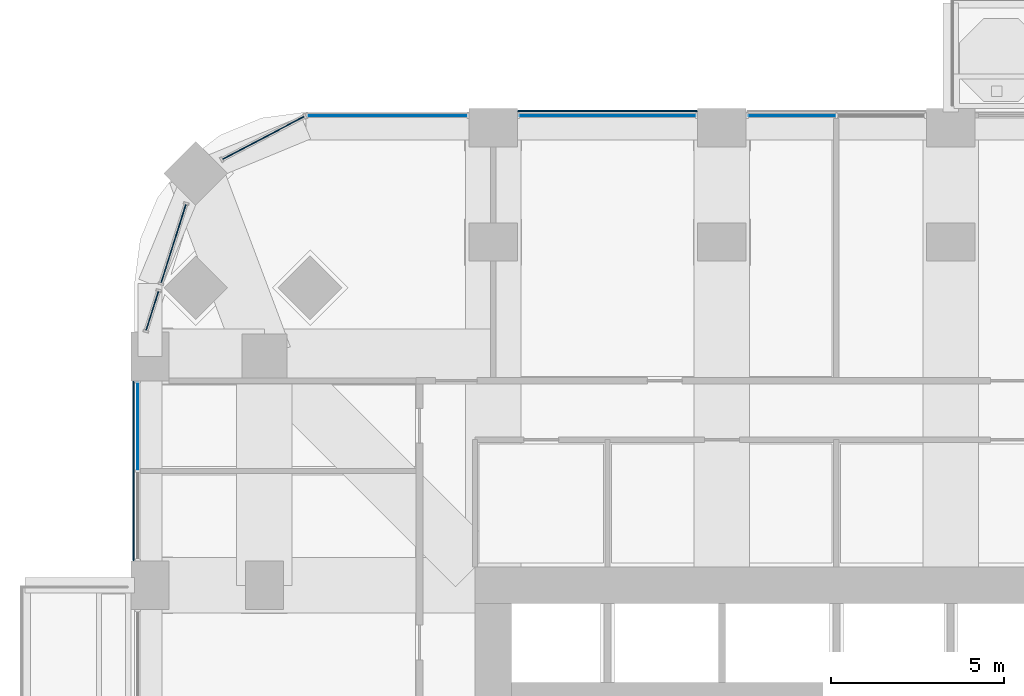
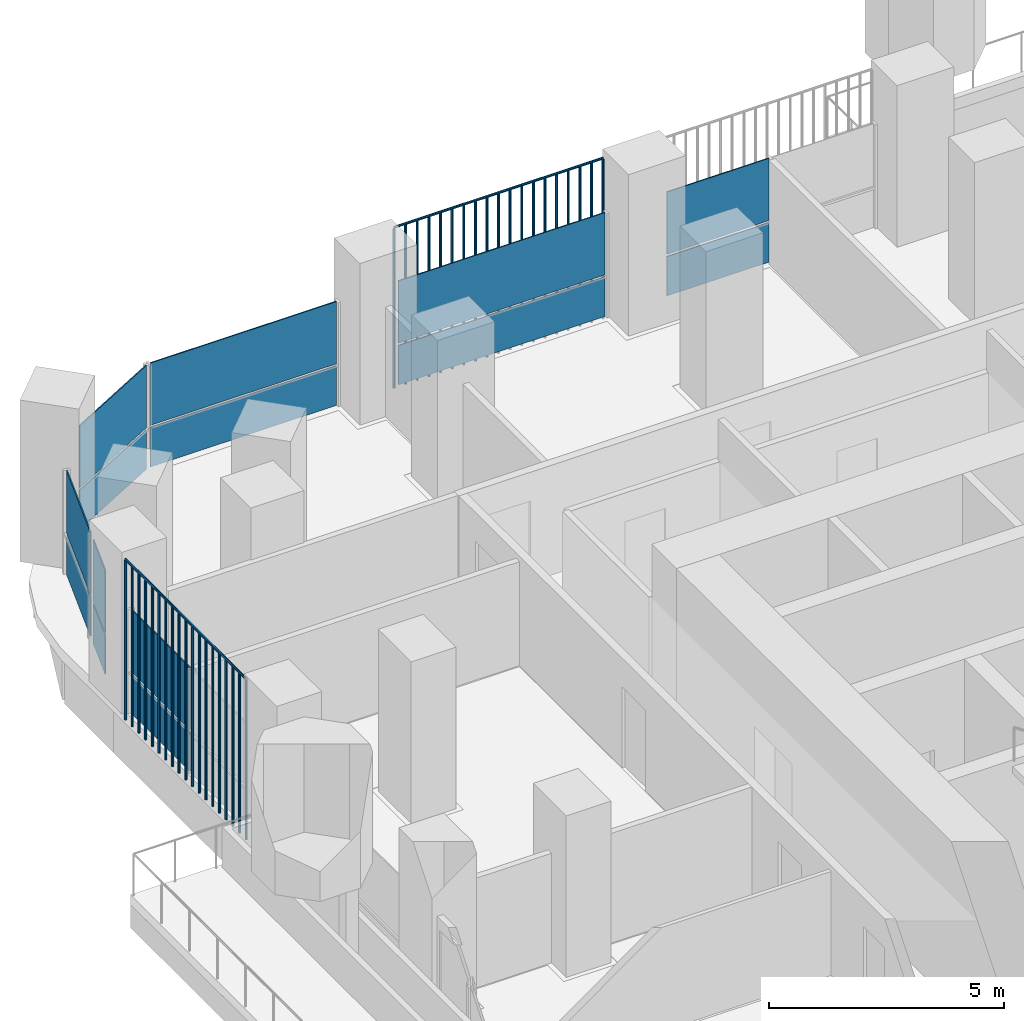
# One storey, part 12 of 23: 16 plates, 7 elements without a shape of their own.
"""IFC4 building model written with IfcOpenShell, lengths in metres."""

from ifc_helpers import new_model, si_unit, direction, frame, origin, origin_2d, place, context, subcontext, project, spatial, polyline, rectangle, outline, extrude, material, layer, layer_set, type_object, element, aggregate, save


model = new_model("IFC4")

# Units and contexts
model_context = context("Model", 3, precision=1e-05, world=origin(), true_north=direction((0.0, 1.0)))
body_context = subcontext(model_context, "Body", "Model", "MODEL_VIEW")
ifc_project = project(units=[si_unit("LENGTHUNIT", "METRE"), si_unit("AREAUNIT", "SQUARE_METRE"), si_unit("VOLUMEUNIT", "CUBIC_METRE"), si_unit("PLANEANGLEUNIT", "RADIAN"), si_unit("MASSUNIT", "GRAM", prefix="KILO")], contexts=[model_context])

# Site, building, storey
site_placement = place(None, origin())
site = spatial("IfcSite", under=ifc_project, at=site_placement, CompositionType="ELEMENT")
building_placement = place(site_placement, origin())
building = spatial("IfcBuilding", under=site, at=building_placement, Name="Cobogo Forest Laboratory Tower", CompositionType="ELEMENT")
storey_placement = place(building_placement, frame((0.0, 0.0, 128.39990234375)))
storey = spatial("IfcBuildingStorey", under=building, at=storey_placement, Name="L29", CompositionType="ELEMENT", Elevation=128.39990234375)

# Curtain wall, plates
ifc_material_1 = material(Name="Aluminium curtain wall", Category="aluminium")
curtain_wall_type = type_object("IfcCurtainWallType", Name="CW-1 unitised curtain wall, clear glazing, laboratory floors zones A and B", PredefinedType="USERDEFINED", material=ifc_material_1)
curtain_wall_1_placement = place(storey_placement, origin())
curtain_wall_1 = element("IfcCurtainWall", 1, at=curtain_wall_1_placement, inside=storey, type_object=curtain_wall_type, Name="Curtain wall 21 L29", ObjectType="UNITISED CURTAIN WALL", PredefinedType="USERDEFINED")
ifc_material_2 = material(Name="Clear insulated glass", Category="glass")
ifc_layer = layer(ifc_material_2, 0.028076171875)
ifc_layer_set = layer_set([ifc_layer], Name="GP-1 clear insulated glass unit 28")
plate_type_1 = type_object("IfcPlateType", Name="GP-1 clear insulated glass unit 28", PredefinedType="CURTAIN_PANEL", material=ifc_layer_set)
plate_1_placement = place(storey_placement, frame((21.81494140625, 46.550048828125, 0.0), z_axis=(0.0, 0.0, 1.0), x_axis=(-1.0, 0.0, 0.0)))
plate_1 = element("IfcPlate", 2, at=plate_1_placement, type_object=plate_type_1, Name="CW-1 panel 2.1", PredefinedType="CURTAIN_PANEL", context=body_context, shape_type="SweptSolid", body=[
    extrude(rectangle(XDim=2.510009765625, YDim=0.028076171875, at=origin_2d()), origin(), (0.0, 0.0, 1.0), 1.02001953125),
])
plate_2_placement = place(storey_placement, frame((21.81494140625, 46.550048828125, 1.080078125), z_axis=(0.0, 0.0, 1.0), x_axis=(-1.0, 0.0, 0.0)))
plate_2 = element("IfcPlate", 3, at=plate_2_placement, type_object=plate_type_1, Name="CW-1 panel 2.2", PredefinedType="CURTAIN_PANEL", context=body_context, shape_type="SweptSolid", body=[
    extrude(rectangle(XDim=2.510009765625, YDim=0.028076171875, at=origin_2d()), origin(), (0.0, 0.0, 1.0), 1.6201171875),
])
aggregate(curtain_wall_1, [plate_1, plate_2])

curtain_wall_2_placement = place(storey_placement, origin())
curtain_wall_2 = element("IfcCurtainWall", 4, at=curtain_wall_2_placement, inside=storey, type_object=curtain_wall_type, Name="Curtain wall 22 L29", ObjectType="UNITISED CURTAIN WALL", PredefinedType="USERDEFINED")
plate_3_placement = place(storey_placement, frame((16.5, 46.550048828125, 0.0), z_axis=(0.0, 0.0, 1.0), x_axis=(-1.0, 0.0, 0.0)))
plate_3 = element("IfcPlate", 5, at=plate_3_placement, type_object=plate_type_1, Name="CW-1 panel 1.1", PredefinedType="CURTAIN_PANEL", context=body_context, shape_type="SweptSolid", body=[
    extrude(rectangle(XDim=5.080078125, YDim=0.028076171875, at=origin_2d()), origin(), (0.0, 0.0, 1.0), 1.02001953125),
])
plate_4_placement = place(storey_placement, frame((16.5, 46.550048828125, 1.080078125), z_axis=(0.0, 0.0, 1.0), x_axis=(-1.0, 0.0, 0.0)))
plate_4 = element("IfcPlate", 6, at=plate_4_placement, type_object=plate_type_1, Name="CW-1 panel 1.2", PredefinedType="CURTAIN_PANEL", context=body_context, shape_type="SweptSolid", body=[
    extrude(rectangle(XDim=5.080078125, YDim=0.028076171875, at=origin_2d()), origin(), (0.0, 0.0, 1.0), 1.6201171875),
])
aggregate(curtain_wall_2, [plate_3, plate_4])

curtain_wall_3_placement = place(storey_placement, origin())
curtain_wall_3 = element("IfcCurtainWall", 7, at=curtain_wall_3_placement, inside=storey, type_object=curtain_wall_type, Name="Curtain wall 23 L29", ObjectType="UNITISED CURTAIN WALL", PredefinedType="USERDEFINED")
plate_5_placement = place(storey_placement, frame((10.14990234375, 46.550048828125, 0.0), z_axis=(0.0, 0.0, 1.0), x_axis=(-1.0, 0.0, 0.0)))
plate_5 = element("IfcPlate", 8, at=plate_5_placement, type_object=plate_type_1, Name="CW-1 panel 1.1", PredefinedType="CURTAIN_PANEL", context=body_context, shape_type="SweptSolid", body=[
    extrude(rectangle(XDim=4.580078125, YDim=0.028076171875, at=origin_2d()), origin(), (0.0, 0.0, 1.0), 1.02001953125),
])
plate_6_placement = place(storey_placement, frame((10.14990234375, 46.550048828125, 1.080078125), z_axis=(0.0, 0.0, 1.0), x_axis=(-1.0, 0.0, 0.0)))
plate_6 = element("IfcPlate", 9, at=plate_6_placement, type_object=plate_type_1, Name="CW-1 panel 1.2", PredefinedType="CURTAIN_PANEL", context=body_context, shape_type="SweptSolid", body=[
    extrude(rectangle(XDim=4.580078125, YDim=0.028076171875, at=origin_2d()), origin(), (0.0, 0.0, 1.0), 1.6201171875),
])
aggregate(curtain_wall_3, [plate_5, plate_6])

curtain_wall_4_placement = place(storey_placement, origin())
curtain_wall_4 = element("IfcCurtainWall", 10, at=curtain_wall_4_placement, inside=storey, type_object=curtain_wall_type, Name="Curtain wall 24 L29", ObjectType="UNITISED CURTAIN WALL", PredefinedType="USERDEFINED")
plate_7_placement = place(storey_placement, frame((6.57080078125, 45.90576171875, 0.0), z_axis=(0.0, 0.0, 1.0), x_axis=(-0.885686547075, -0.464283685186, 0.0)))
plate_7 = element("IfcPlate", 11, at=plate_7_placement, type_object=plate_type_1, Name="CW-1 panel 1.1", PredefinedType="CURTAIN_PANEL", context=body_context, shape_type="SweptSolid", body=[
    extrude(rectangle(XDim=2.655517578125, YDim=0.028076171875, at=origin_2d()), origin(), (0.0, 0.0, 1.0), 1.02001953125),
])
plate_8_placement = place(storey_placement, frame((6.57080078125, 45.90576171875, 1.080078125), z_axis=(0.0, 0.0, 1.0), x_axis=(-0.885686547075, -0.464283685186, 0.0)))
plate_8 = element("IfcPlate", 12, at=plate_8_placement, type_object=plate_type_1, Name="CW-1 panel 1.2", PredefinedType="CURTAIN_PANEL", context=body_context, shape_type="SweptSolid", body=[
    extrude(rectangle(XDim=2.655517578125, YDim=0.028076171875, at=origin_2d()), origin(), (0.0, 0.0, 1.0), 1.6201171875),
])
aggregate(curtain_wall_4, [plate_7, plate_8])

curtain_wall_5_placement = place(storey_placement, origin())
curtain_wall_5 = element("IfcCurtainWall", 13, at=curtain_wall_5_placement, inside=storey, type_object=curtain_wall_type, Name="Curtain wall 25 L29", ObjectType="UNITISED CURTAIN WALL", PredefinedType="USERDEFINED")
plate_9_placement = place(storey_placement, frame((3.978759765625, 42.857421875, 0.0), z_axis=(0.0, 0.0, 1.0), x_axis=(-0.301135291996, -0.953581425949, 0.0)))
plate_9 = element("IfcPlate", 14, at=plate_9_placement, type_object=plate_type_1, Name="CW-1 panel 1.1", PredefinedType="CURTAIN_PANEL", context=body_context, shape_type="SweptSolid", body=[
    extrude(rectangle(XDim=2.3681640625, YDim=0.028076171875, at=origin_2d()), origin(), (0.0, 0.0, 1.0), 1.02001953125),
])
plate_10_placement = place(storey_placement, frame((3.978759765625, 42.857421875, 1.080078125), z_axis=(0.0, 0.0, 1.0), x_axis=(-0.301135291996, -0.953581425949, 0.0)))
plate_10 = element("IfcPlate", 15, at=plate_10_placement, type_object=plate_type_1, Name="CW-1 panel 1.2", PredefinedType="CURTAIN_PANEL", context=body_context, shape_type="SweptSolid", body=[
    extrude(rectangle(XDim=2.3681640625, YDim=0.028076171875, at=origin_2d()), origin(), (0.0, 0.0, 1.0), 1.6201171875),
])
aggregate(curtain_wall_5, [plate_9, plate_10])

curtain_wall_6_placement = place(storey_placement, origin())
curtain_wall_6 = element("IfcCurtainWall", 16, at=curtain_wall_6_placement, inside=storey, type_object=curtain_wall_type, Name="Curtain wall 26 L29", ObjectType="UNITISED CURTAIN WALL", PredefinedType="USERDEFINED")
plate_11_placement = place(storey_placement, frame((3.3662109375, 40.917724609375, 0.0), z_axis=(0.0, 0.0, 1.0), x_axis=(-0.301135356805, -0.953581405483, 0.0)))
plate_11 = element("IfcPlate", 17, at=plate_11_placement, type_object=plate_type_1, Name="CW-1 panel 1.1", PredefinedType="CURTAIN_PANEL", context=body_context, shape_type="SweptSolid", body=[
    extrude(rectangle(XDim=1.17578125, YDim=0.028076171875, at=origin_2d()), origin(), (0.0, 0.0, 1.0), 1.02001953125),
])
plate_12_placement = place(storey_placement, frame((3.3662109375, 40.917724609375, 1.080078125), z_axis=(0.0, 0.0, 1.0), x_axis=(-0.301135356805, -0.953581405483, 0.0)))
plate_12 = element("IfcPlate", 18, at=plate_12_placement, type_object=plate_type_1, Name="CW-1 panel 1.2", PredefinedType="CURTAIN_PANEL", context=body_context, shape_type="SweptSolid", body=[
    extrude(rectangle(XDim=1.17578125, YDim=0.028076171875, at=origin_2d()), origin(), (0.0, 0.0, 1.0), 1.6201171875),
])
aggregate(curtain_wall_6, [plate_11, plate_12])

curtain_wall_7_placement = place(storey_placement, origin())
curtain_wall_7 = element("IfcCurtainWall", 19, at=curtain_wall_7_placement, inside=storey, type_object=curtain_wall_type, Name="Curtain wall 27 L29", ObjectType="UNITISED CURTAIN WALL", PredefinedType="USERDEFINED")
plate_13_placement = place(storey_placement, frame((2.949951171875, 37.5849609375, 0.0), z_axis=(0.0, 0.0, 1.0), x_axis=(0.0, -1.0, 0.0)))
plate_13 = element("IfcPlate", 20, at=plate_13_placement, type_object=plate_type_1, Name="CW-1 panel 1.1", PredefinedType="CURTAIN_PANEL", context=body_context, shape_type="SweptSolid", body=[
    extrude(rectangle(XDim=2.510009765625, YDim=0.028076171875, at=origin_2d()), origin(), (0.0, 0.0, 1.0), 1.02001953125),
])
plate_14_placement = place(storey_placement, frame((2.949951171875, 37.5849609375, 1.080078125), z_axis=(0.0, 0.0, 1.0), x_axis=(0.0, -1.0, 0.0)))
plate_14 = element("IfcPlate", 21, at=plate_14_placement, type_object=plate_type_1, Name="CW-1 panel 1.2", PredefinedType="CURTAIN_PANEL", context=body_context, shape_type="SweptSolid", body=[
    extrude(rectangle(XDim=2.510009765625, YDim=0.028076171875, at=origin_2d()), origin(), (0.0, 0.0, 1.0), 1.6201171875),
])
aggregate(curtain_wall_7, [plate_13, plate_14])

# Plates
ifc_material_3 = material(Name="Terracotta", Category="masonry")
plate_type_2 = type_object("IfcPlateType", Name="TB1 terracotta baguette screen", PredefinedType="USERDEFINED", material=ifc_material_3)
plate_15_placement = place(storey_placement, frame((13.93115234375, 46.677978515625, -0.14990234375)))
element("IfcPlate", 22, at=plate_15_placement, inside=storey, type_object=plate_type_2, Name="Baguette screen N1 L29", ObjectType="BAGUETTE SCREEN", PredefinedType="USERDEFINED", context=body_context, shape_type="SweptSolid", body=[
    extrude(outline(polyline([(0.02880859375, 0.011962890625), (0.011962890625, 0.02880859375), (-0.011962890625, 0.02880859375), (-0.02880859375, 0.011962890625), (-0.02880859375, -0.011962890625), (-0.011962890625, -0.02880859375), (0.011962890625, -0.02880859375), (0.02880859375, -0.011962890625), (0.02880859375, 0.011962890625)])), frame((0.0, 0.0, 4.168701171875), z_axis=(1.0, 0.0, 0.0), x_axis=(0.0, 1.0, 0.0)), (0.0, 0.0, 1.0), 5.1376953125),
    extrude(outline(polyline([(0.02880859375, 0.011962890625), (0.011962890625, 0.02880859375), (-0.011962890625, 0.02880859375), (-0.02880859375, 0.011962890625), (-0.02880859375, -0.011962890625), (-0.011962890625, -0.02880859375), (0.011962890625, -0.02880859375), (0.02880859375, -0.011962890625), (0.02880859375, 0.011962890625)])), origin(), (0.0, 0.0, 1.0), 4.137451171875),
    extrude(outline(polyline([(0.02880859375, 0.011962890625), (0.011962890625, 0.02880859375), (-0.011962890625, 0.02880859375), (-0.02880859375, 0.011962890625), (-0.02880859375, -0.011962890625), (-0.011962890625, -0.02880859375), (0.011962890625, -0.02880859375), (0.02880859375, -0.011962890625), (0.02880859375, 0.011962890625)])), frame((0.285400390625, 0.0, 0.0)), (0.0, 0.0, 1.0), 4.137451171875),
    extrude(outline(polyline([(0.02880859375, 0.011962890625), (0.011962890625, 0.02880859375), (-0.011962890625, 0.02880859375), (-0.02880859375, 0.011962890625), (-0.02880859375, -0.011962890625), (-0.011962890625, -0.02880859375), (0.011962890625, -0.02880859375), (0.02880859375, -0.011962890625), (0.02880859375, 0.011962890625)])), frame((0.57080078125, 0.0, 0.0)), (0.0, 0.0, 1.0), 4.137451171875),
    extrude(outline(polyline([(0.02880859375, 0.011962890625), (0.011962890625, 0.02880859375), (-0.011962890625, 0.02880859375), (-0.02880859375, 0.011962890625), (-0.02880859375, -0.011962890625), (-0.011962890625, -0.02880859375), (0.011962890625, -0.02880859375), (0.02880859375, -0.011962890625), (0.02880859375, 0.011962890625)])), frame((0.856201171875, 0.0, 0.0)), (0.0, 0.0, 1.0), 4.137451171875),
    extrude(outline(polyline([(0.02880859375, 0.011962890625), (0.011962890625, 0.02880859375), (-0.011962890625, 0.02880859375), (-0.02880859375, 0.011962890625), (-0.02880859375, -0.011962890625), (-0.011962890625, -0.02880859375), (0.011962890625, -0.02880859375), (0.02880859375, -0.011962890625), (0.02880859375, 0.011962890625)])), frame((1.1416015625, 0.0, 0.0)), (0.0, 0.0, 1.0), 4.137451171875),
    extrude(outline(polyline([(0.02880859375, 0.011962890625), (0.011962890625, 0.02880859375), (-0.011962890625, 0.02880859375), (-0.02880859375, 0.011962890625), (-0.02880859375, -0.011962890625), (-0.011962890625, -0.02880859375), (0.011962890625, -0.02880859375), (0.02880859375, -0.011962890625), (0.02880859375, 0.011962890625)])), frame((1.42724609375, 0.0, 0.0)), (0.0, 0.0, 1.0), 4.137451171875),
    extrude(outline(polyline([(0.02880859375, 0.011962890625), (0.011962890625, 0.02880859375), (-0.011962890625, 0.02880859375), (-0.02880859375, 0.011962890625), (-0.02880859375, -0.011962890625), (-0.011962890625, -0.02880859375), (0.011962890625, -0.02880859375), (0.02880859375, -0.011962890625), (0.02880859375, 0.011962890625)])), frame((1.712646484375, 0.0, 0.0)), (0.0, 0.0, 1.0), 4.137451171875),
    extrude(outline(polyline([(0.02880859375, 0.011962890625), (0.011962890625, 0.02880859375), (-0.011962890625, 0.02880859375), (-0.02880859375, 0.011962890625), (-0.02880859375, -0.011962890625), (-0.011962890625, -0.02880859375), (0.011962890625, -0.02880859375), (0.02880859375, -0.011962890625), (0.02880859375, 0.011962890625)])), frame((1.998046875, 0.0, 0.0)), (0.0, 0.0, 1.0), 4.137451171875),
    extrude(outline(polyline([(0.02880859375, 0.011962890625), (0.011962890625, 0.02880859375), (-0.011962890625, 0.02880859375), (-0.02880859375, 0.011962890625), (-0.02880859375, -0.011962890625), (-0.011962890625, -0.02880859375), (0.011962890625, -0.02880859375), (0.02880859375, -0.011962890625), (0.02880859375, 0.011962890625)])), frame((2.283447265625, 0.0, 0.0)), (0.0, 0.0, 1.0), 4.137451171875),
    extrude(outline(polyline([(0.02880859375, 0.011962890625), (0.011962890625, 0.02880859375), (-0.011962890625, 0.02880859375), (-0.02880859375, 0.011962890625), (-0.02880859375, -0.011962890625), (-0.011962890625, -0.02880859375), (0.011962890625, -0.02880859375), (0.02880859375, -0.011962890625), (0.02880859375, 0.011962890625)])), frame((2.56884765625, 0.0, 0.0)), (0.0, 0.0, 1.0), 4.137451171875),
    extrude(outline(polyline([(0.02880859375, 0.011962890625), (0.011962890625, 0.02880859375), (-0.011962890625, 0.02880859375), (-0.02880859375, 0.011962890625), (-0.02880859375, -0.011962890625), (-0.011962890625, -0.02880859375), (0.011962890625, -0.02880859375), (0.02880859375, -0.011962890625), (0.02880859375, 0.011962890625)])), frame((2.854248046875, 0.0, 0.0)), (0.0, 0.0, 1.0), 4.137451171875),
    extrude(outline(polyline([(0.02880859375, 0.011962890625), (0.011962890625, 0.02880859375), (-0.011962890625, 0.02880859375), (-0.02880859375, 0.011962890625), (-0.02880859375, -0.011962890625), (-0.011962890625, -0.02880859375), (0.011962890625, -0.02880859375), (0.02880859375, -0.011962890625), (0.02880859375, 0.011962890625)])), frame((3.1396484375, 0.0, 0.0)), (0.0, 0.0, 1.0), 4.137451171875),
    extrude(outline(polyline([(0.02880859375, 0.011962890625), (0.011962890625, 0.02880859375), (-0.011962890625, 0.02880859375), (-0.02880859375, 0.011962890625), (-0.02880859375, -0.011962890625), (-0.011962890625, -0.02880859375), (0.011962890625, -0.02880859375), (0.02880859375, -0.011962890625), (0.02880859375, 0.011962890625)])), frame((3.425048828125, 0.0, 0.0)), (0.0, 0.0, 1.0), 4.137451171875),
    extrude(outline(polyline([(0.02880859375, 0.011962890625), (0.011962890625, 0.02880859375), (-0.011962890625, 0.02880859375), (-0.02880859375, 0.011962890625), (-0.02880859375, -0.011962890625), (-0.011962890625, -0.02880859375), (0.011962890625, -0.02880859375), (0.02880859375, -0.011962890625), (0.02880859375, 0.011962890625)])), frame((3.71044921875, 0.0, 0.0)), (0.0, 0.0, 1.0), 4.137451171875),
    extrude(outline(polyline([(0.02880859375, 0.011962890625), (0.011962890625, 0.02880859375), (-0.011962890625, 0.02880859375), (-0.02880859375, 0.011962890625), (-0.02880859375, -0.011962890625), (-0.011962890625, -0.02880859375), (0.011962890625, -0.02880859375), (0.02880859375, -0.011962890625), (0.02880859375, 0.011962890625)])), frame((3.99609375, 0.0, 0.0)), (0.0, 0.0, 1.0), 4.137451171875),
    extrude(outline(polyline([(0.02880859375, 0.011962890625), (0.011962890625, 0.02880859375), (-0.011962890625, 0.02880859375), (-0.02880859375, 0.011962890625), (-0.02880859375, -0.011962890625), (-0.011962890625, -0.02880859375), (0.011962890625, -0.02880859375), (0.02880859375, -0.011962890625), (0.02880859375, 0.011962890625)])), frame((4.281494140625, 0.0, 0.0)), (0.0, 0.0, 1.0), 4.137451171875),
    extrude(outline(polyline([(0.02880859375, 0.011962890625), (0.011962890625, 0.02880859375), (-0.011962890625, 0.02880859375), (-0.02880859375, 0.011962890625), (-0.02880859375, -0.011962890625), (-0.011962890625, -0.02880859375), (0.011962890625, -0.02880859375), (0.02880859375, -0.011962890625), (0.02880859375, 0.011962890625)])), frame((4.56689453125, 0.0, 0.0)), (0.0, 0.0, 1.0), 4.137451171875),
    extrude(outline(polyline([(0.02880859375, 0.011962890625), (0.011962890625, 0.02880859375), (-0.011962890625, 0.02880859375), (-0.02880859375, 0.011962890625), (-0.02880859375, -0.011962890625), (-0.011962890625, -0.02880859375), (0.011962890625, -0.02880859375), (0.02880859375, -0.011962890625), (0.02880859375, 0.011962890625)])), frame((4.852294921875, 0.0, 0.0)), (0.0, 0.0, 1.0), 4.137451171875),
    extrude(outline(polyline([(0.02880859375, 0.011962890625), (0.011962890625, 0.02880859375), (-0.011962890625, 0.02880859375), (-0.02880859375, 0.011962890625), (-0.02880859375, -0.011962890625), (-0.011962890625, -0.02880859375), (0.011962890625, -0.02880859375), (0.02880859375, -0.011962890625), (0.02880859375, 0.011962890625)])), frame((5.1376953125, 0.0, 0.0)), (0.0, 0.0, 1.0), 4.137451171875),
])
plate_16_placement = place(storey_placement, frame((2.822021484375, 33.731201171875, -0.14990234375)))
element("IfcPlate", 23, at=plate_16_placement, inside=storey, type_object=plate_type_2, Name="Baguette screen W5 L29", ObjectType="BAGUETTE SCREEN", PredefinedType="USERDEFINED", context=body_context, shape_type="SweptSolid", body=[
    extrude(outline(polyline([(0.02880859375, 0.011962890625), (0.011962890625, 0.02880859375), (-0.011962890625, 0.02880859375), (-0.02880859375, 0.011962890625), (-0.02880859375, -0.011962890625), (-0.011962890625, -0.02880859375), (0.011962890625, -0.02880859375), (0.02880859375, -0.011962890625), (0.02880859375, 0.011962890625)])), frame((0.0, 0.0, 4.168701171875), z_axis=(0.0, 1.0, 0.0), x_axis=(-1.0, 0.0, 0.0)), (0.0, 0.0, 1.0), 5.137451171875),
    extrude(outline(polyline([(0.02880859375, 0.011962890625), (0.011962890625, 0.02880859375), (-0.011962890625, 0.02880859375), (-0.02880859375, 0.011962890625), (-0.02880859375, -0.011962890625), (-0.011962890625, -0.02880859375), (0.011962890625, -0.02880859375), (0.02880859375, -0.011962890625), (0.02880859375, 0.011962890625)])), origin(), (0.0, 0.0, 1.0), 4.137451171875),
    extrude(outline(polyline([(0.02880859375, 0.011962890625), (0.011962890625, 0.02880859375), (-0.011962890625, 0.02880859375), (-0.02880859375, 0.011962890625), (-0.02880859375, -0.011962890625), (-0.011962890625, -0.02880859375), (0.011962890625, -0.02880859375), (0.02880859375, -0.011962890625), (0.02880859375, 0.011962890625)])), frame((0.0, 0.285400390625, 0.0)), (0.0, 0.0, 1.0), 4.137451171875),
    extrude(outline(polyline([(0.02880859375, 0.011962890625), (0.011962890625, 0.02880859375), (-0.011962890625, 0.02880859375), (-0.02880859375, 0.011962890625), (-0.02880859375, -0.011962890625), (-0.011962890625, -0.02880859375), (0.011962890625, -0.02880859375), (0.02880859375, -0.011962890625), (0.02880859375, 0.011962890625)])), frame((0.0, 0.57080078125, 0.0)), (0.0, 0.0, 1.0), 4.137451171875),
    extrude(outline(polyline([(0.02880859375, 0.011962890625), (0.011962890625, 0.02880859375), (-0.011962890625, 0.02880859375), (-0.02880859375, 0.011962890625), (-0.02880859375, -0.011962890625), (-0.011962890625, -0.02880859375), (0.011962890625, -0.02880859375), (0.02880859375, -0.011962890625), (0.02880859375, 0.011962890625)])), frame((0.0, 0.856201171875, 0.0)), (0.0, 0.0, 1.0), 4.137451171875),
    extrude(outline(polyline([(0.02880859375, 0.011962890625), (0.011962890625, 0.02880859375), (-0.011962890625, 0.02880859375), (-0.02880859375, 0.011962890625), (-0.02880859375, -0.011962890625), (-0.011962890625, -0.02880859375), (0.011962890625, -0.02880859375), (0.02880859375, -0.011962890625), (0.02880859375, 0.011962890625)])), frame((0.0, 1.1416015625, 0.0)), (0.0, 0.0, 1.0), 4.137451171875),
    extrude(outline(polyline([(0.02880859375, 0.011962890625), (0.011962890625, 0.02880859375), (-0.011962890625, 0.02880859375), (-0.02880859375, 0.011962890625), (-0.02880859375, -0.011962890625), (-0.011962890625, -0.02880859375), (0.011962890625, -0.02880859375), (0.02880859375, -0.011962890625), (0.02880859375, 0.011962890625)])), frame((0.0, 1.427001953125, 0.0)), (0.0, 0.0, 1.0), 4.137451171875),
    extrude(outline(polyline([(0.02880859375, 0.011962890625), (0.011962890625, 0.02880859375), (-0.011962890625, 0.02880859375), (-0.02880859375, 0.011962890625), (-0.02880859375, -0.011962890625), (-0.011962890625, -0.02880859375), (0.011962890625, -0.02880859375), (0.02880859375, -0.011962890625), (0.02880859375, 0.011962890625)])), frame((0.0, 1.71240234375, 0.0)), (0.0, 0.0, 1.0), 4.137451171875),
    extrude(outline(polyline([(0.02880859375, 0.011962890625), (0.011962890625, 0.02880859375), (-0.011962890625, 0.02880859375), (-0.02880859375, 0.011962890625), (-0.02880859375, -0.011962890625), (-0.011962890625, -0.02880859375), (0.011962890625, -0.02880859375), (0.02880859375, -0.011962890625), (0.02880859375, 0.011962890625)])), frame((0.0, 1.997802734375, 0.0)), (0.0, 0.0, 1.0), 4.137451171875),
    extrude(outline(polyline([(0.02880859375, 0.011962890625), (0.011962890625, 0.02880859375), (-0.011962890625, 0.02880859375), (-0.02880859375, 0.011962890625), (-0.02880859375, -0.011962890625), (-0.011962890625, -0.02880859375), (0.011962890625, -0.02880859375), (0.02880859375, -0.011962890625), (0.02880859375, 0.011962890625)])), frame((0.0, 2.283203125, 0.0)), (0.0, 0.0, 1.0), 4.137451171875),
    extrude(outline(polyline([(0.02880859375, 0.011962890625), (0.011962890625, 0.02880859375), (-0.011962890625, 0.02880859375), (-0.02880859375, 0.011962890625), (-0.02880859375, -0.011962890625), (-0.011962890625, -0.02880859375), (0.011962890625, -0.02880859375), (0.02880859375, -0.011962890625), (0.02880859375, 0.011962890625)])), frame((0.0, 2.56884765625, 0.0)), (0.0, 0.0, 1.0), 4.137451171875),
    extrude(outline(polyline([(0.02880859375, 0.011962890625), (0.011962890625, 0.02880859375), (-0.011962890625, 0.02880859375), (-0.02880859375, 0.011962890625), (-0.02880859375, -0.011962890625), (-0.011962890625, -0.02880859375), (0.011962890625, -0.02880859375), (0.02880859375, -0.011962890625), (0.02880859375, 0.011962890625)])), frame((0.0, 2.854248046875, 0.0)), (0.0, 0.0, 1.0), 4.137451171875),
    extrude(outline(polyline([(0.02880859375, 0.011962890625), (0.011962890625, 0.02880859375), (-0.011962890625, 0.02880859375), (-0.02880859375, 0.011962890625), (-0.02880859375, -0.011962890625), (-0.011962890625, -0.02880859375), (0.011962890625, -0.02880859375), (0.02880859375, -0.011962890625), (0.02880859375, 0.011962890625)])), frame((0.0, 3.1396484375, 0.0)), (0.0, 0.0, 1.0), 4.137451171875),
    extrude(outline(polyline([(0.02880859375, 0.011962890625), (0.011962890625, 0.02880859375), (-0.011962890625, 0.02880859375), (-0.02880859375, 0.011962890625), (-0.02880859375, -0.011962890625), (-0.011962890625, -0.02880859375), (0.011962890625, -0.02880859375), (0.02880859375, -0.011962890625), (0.02880859375, 0.011962890625)])), frame((0.0, 3.425048828125, 0.0)), (0.0, 0.0, 1.0), 4.137451171875),
    extrude(outline(polyline([(0.02880859375, 0.011962890625), (0.011962890625, 0.02880859375), (-0.011962890625, 0.02880859375), (-0.02880859375, 0.011962890625), (-0.02880859375, -0.011962890625), (-0.011962890625, -0.02880859375), (0.011962890625, -0.02880859375), (0.02880859375, -0.011962890625), (0.02880859375, 0.011962890625)])), frame((0.0, 3.71044921875, 0.0)), (0.0, 0.0, 1.0), 4.137451171875),
    extrude(outline(polyline([(0.02880859375, 0.011962890625), (0.011962890625, 0.02880859375), (-0.011962890625, 0.02880859375), (-0.02880859375, 0.011962890625), (-0.02880859375, -0.011962890625), (-0.011962890625, -0.02880859375), (0.011962890625, -0.02880859375), (0.02880859375, -0.011962890625), (0.02880859375, 0.011962890625)])), frame((0.0, 3.995849609375, 0.0)), (0.0, 0.0, 1.0), 4.137451171875),
    extrude(outline(polyline([(0.02880859375, 0.011962890625), (0.011962890625, 0.02880859375), (-0.011962890625, 0.02880859375), (-0.02880859375, 0.011962890625), (-0.02880859375, -0.011962890625), (-0.011962890625, -0.02880859375), (0.011962890625, -0.02880859375), (0.02880859375, -0.011962890625), (0.02880859375, 0.011962890625)])), frame((0.0, 4.28125, 0.0)), (0.0, 0.0, 1.0), 4.137451171875),
    extrude(outline(polyline([(0.02880859375, 0.011962890625), (0.011962890625, 0.02880859375), (-0.011962890625, 0.02880859375), (-0.02880859375, 0.011962890625), (-0.02880859375, -0.011962890625), (-0.011962890625, -0.02880859375), (0.011962890625, -0.02880859375), (0.02880859375, -0.011962890625), (0.02880859375, 0.011962890625)])), frame((0.0, 4.566650390625, 0.0)), (0.0, 0.0, 1.0), 4.137451171875),
    extrude(outline(polyline([(0.02880859375, 0.011962890625), (0.011962890625, 0.02880859375), (-0.011962890625, 0.02880859375), (-0.02880859375, 0.011962890625), (-0.02880859375, -0.011962890625), (-0.011962890625, -0.02880859375), (0.011962890625, -0.02880859375), (0.02880859375, -0.011962890625), (0.02880859375, 0.011962890625)])), frame((0.0, 4.85205078125, 0.0)), (0.0, 0.0, 1.0), 4.137451171875),
    extrude(outline(polyline([(0.02880859375, 0.011962890625), (0.011962890625, 0.02880859375), (-0.011962890625, 0.02880859375), (-0.02880859375, 0.011962890625), (-0.02880859375, -0.011962890625), (-0.011962890625, -0.02880859375), (0.011962890625, -0.02880859375), (0.02880859375, -0.011962890625), (0.02880859375, 0.011962890625)])), frame((0.0, 5.137451171875, 0.0)), (0.0, 0.0, 1.0), 4.137451171875),
])

save(model, "model.ifc")
